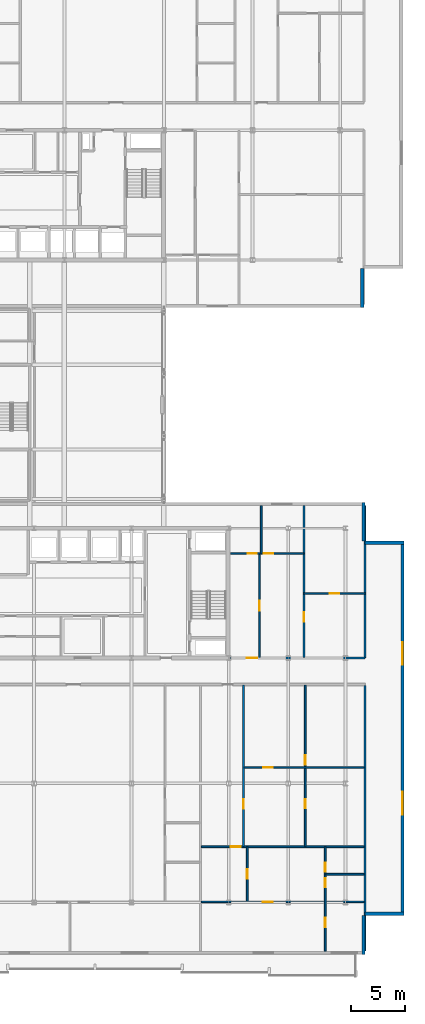
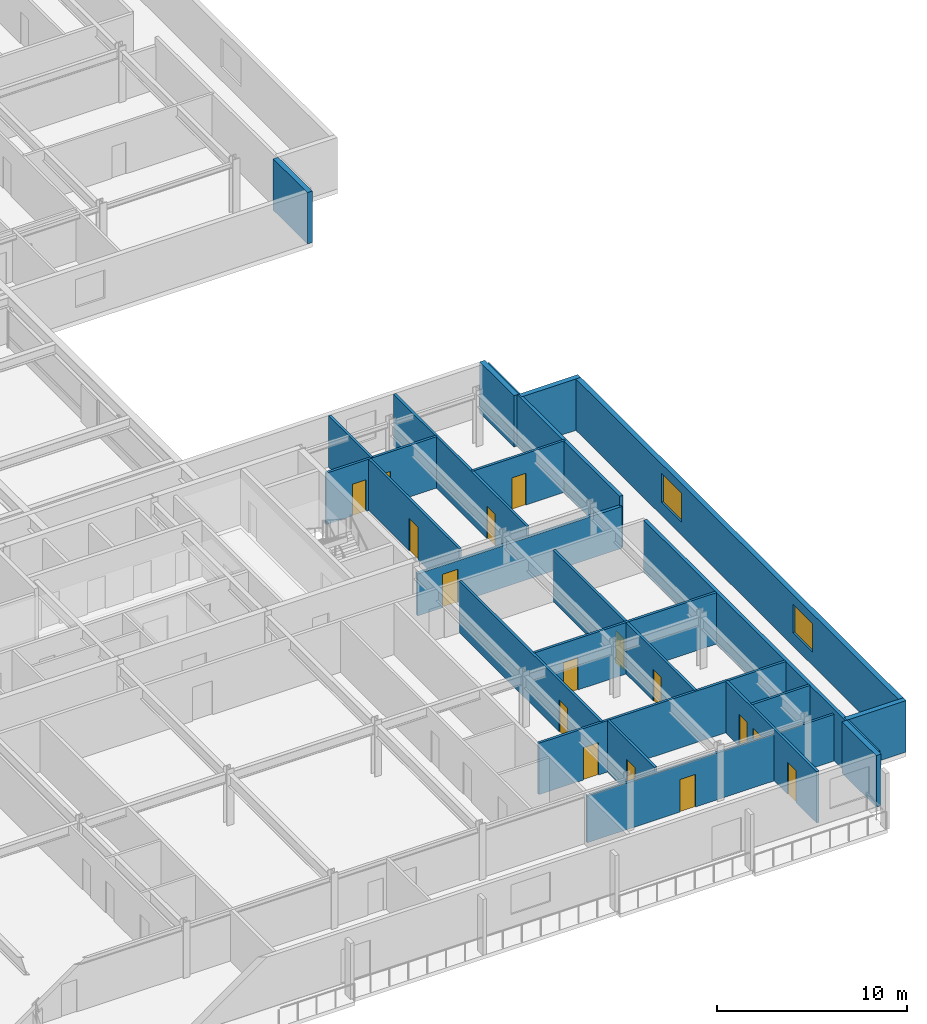
# One storey, part 22 of 35: 22 walls, 16 doors, 2 windows, 18 openings.
"""IFC4 building model written with IfcOpenShell, lengths in metres."""

from ifc_helpers import new_model, si_unit, direction, frame, frame_2d, origin, place, context, subcontext, project, spatial, rectangle, extrude, material, layer, layer_set, type_object, element, fill, save


model = new_model("IFC4")

# Units and contexts
model_context = context("Model", 3, precision=1e-05, world=origin(), true_north=direction((0.0, 1.0)))
body_context = subcontext(model_context, "Body", "Model", "MODEL_VIEW")
ifc_project = project(units=[si_unit("LENGTHUNIT", "METRE"), si_unit("AREAUNIT", "SQUARE_METRE"), si_unit("VOLUMEUNIT", "CUBIC_METRE"), si_unit("PLANEANGLEUNIT", "RADIAN"), si_unit("MASSUNIT", "GRAM", prefix="KILO")], contexts=[model_context])

# Site, building, storey
site_placement = place(None, origin())
site = spatial("IfcSite", under=ifc_project, at=site_placement, CompositionType="ELEMENT")
building_placement = place(site_placement, origin())
building = spatial("IfcBuilding", under=site, at=building_placement, Name="Korimba Cascade Residences", CompositionType="ELEMENT")
storey_placement = place(building_placement, frame((0.0, 0.0, 150.10009765625)))
storey = spatial("IfcBuildingStorey", under=building, at=storey_placement, Name="L43", CompositionType="ELEMENT", Elevation=150.10009765625)

# Walls
ifc_material_1 = material(Name="Precast concrete C40/50", Category="concrete")
ifc_layer_1 = layer(ifc_material_1, 0.300048828125)
ifc_layer_set_1 = layer_set([ifc_layer_1], Name="Precast concrete C40/50")
wall_type_1 = type_object("IfcWallType", Name="EW-STONE-300", PredefinedType="STANDARD", material=ifc_layer_set_1)
wall_1_placement = place(storey_placement, frame((130.449951171875, 50.800048828125, 0.0), z_axis=(0.0, 0.0, 1.0), x_axis=(0.0, 1.0, 0.0)))
element("IfcWall", 1, at=wall_1_placement, inside=storey, type_object=wall_type_1, Name="L43 T1 Perimeter Stone Wall E01", PredefinedType="STANDARD", context=body_context, shape_type="SweptSolid", body=[
    extrude(rectangle(XDim=3.599853515625, YDim=0.300048828125, at=frame_2d((1.7998046875, 0.0))), origin(), (0.0, 0.0, 1.0), 3.309814453125),
])
for number, where, z_axis, x_axis, name in (
    (2, (130.550048828125, -9.0, 0.0), (0.0, 0.0, 1.0), (0.0, 1.0, 0.0), "L43 T2 Perimeter Stone Wall E01"),
    (3, (130.699951171875, -5.25, 0.0), (0.0, 0.0, 1.0), (1.0, 0.0, 0.0), "L43 T2 Perimeter Stone Wall E02"),
):
    element("IfcWall", number, at=place(storey_placement, frame(where, z_axis=z_axis, x_axis=x_axis)), inside=storey, type_object=wall_type_1, Name=name, PredefinedType="STANDARD", context=body_context, shape_type="SweptSolid", body=[
        extrude(rectangle(XDim=3.60009765625, YDim=0.300048828125, at=frame_2d((1.800048828125, 0.0))), origin(), (0.0, 0.0, 1.0), 3.309814453125),
    ])

# Wall, openings, windows
wall_2_placement = place(storey_placement, frame((134.14990234375, -5.39990234375, 0.0), z_axis=(0.0, 0.0, 1.0), x_axis=(0.0, 1.0, 0.0)))
wall_2 = element("IfcWall", 4, at=wall_2_placement, inside=storey, type_object=wall_type_1, Name="L43 T2 Perimeter Stone Wall E03", PredefinedType="STANDARD", context=body_context, shape_type="SweptSolid", body=[
    extrude(rectangle(XDim=34.599853515625, YDim=0.300048828125, at=frame_2d((17.2998046875, 0.0))), origin(), (0.0, 0.0, 1.0), 3.309814453125),
])
opening_1_placement = place(wall_2_placement, frame((9.330078125, 0.0, 0.85009765625)))
opening_1 = element("IfcOpeningElement", 5, at=opening_1_placement, cuts=wall_2, Name="Opening W-03", PredefinedType="OPENING", context=body_context, shape_type="SweptSolid", body=[
    extrude(rectangle(XDim=2.10009765625, YDim=1.85009765625, at=frame_2d((1.050048828125, 0.925048828125))), frame((0.0, 0.16015625, 0.0), z_axis=(0.0, -1.0, 0.0), x_axis=(1.0, 0.0, 0.0)), (0.0, 0.0, 1.0), 0.320068359375),
])
opening_2_placement = place(wall_2_placement, frame((23.169921875, 0.0, 0.85009765625)))
opening_2 = element("IfcOpeningElement", 6, at=opening_2_placement, cuts=wall_2, Name="Opening W-03", PredefinedType="OPENING", context=body_context, shape_type="SweptSolid", body=[
    extrude(rectangle(XDim=2.10009765625, YDim=1.85009765625, at=frame_2d((1.050048828125, 0.925048828125))), frame((0.0, 0.16015625, 0.0), z_axis=(0.0, -1.0, 0.0), x_axis=(1.0, 0.0, 0.0)), (0.0, 0.0, 1.0), 0.320068359375),
])
ifc_material_2 = material(Name="Double-Glazed Aluminium Window", Category="aluminium")
window_type = type_object("IfcWindowType", Name="WIN-CRN-2100", PartitioningType="DOUBLE_PANEL_HORIZONTAL", PredefinedType="WINDOW", material=ifc_material_2)
window_1_placement = place(opening_1_placement, origin())
window_1 = element("IfcWindow", 7, at=window_1_placement, inside=storey, type_object=window_type, Name="L43 T2 End View Window 3.1", OverallHeight=1.85009765625, OverallWidth=2.10009765625, PartitioningType="DOUBLE_PANEL_HORIZONTAL", PredefinedType="WINDOW", context=body_context, shape_type="SweptSolid", body=[
    extrude(rectangle(XDim=2.10009765625, YDim=1.85009765625, at=frame_2d((1.050048828125, 0.925048828125))), frame((0.0, 0.030029296875, 0.0), z_axis=(0.0, -1.0, 0.0), x_axis=(1.0, 0.0, 0.0)), (0.0, 0.0, 1.0), 0.06005859375),
])
fill(opening_1, window_1)
window_2_placement = place(opening_2_placement, origin())
window_2 = element("IfcWindow", 8, at=window_2_placement, inside=storey, type_object=window_type, Name="L43 T2 End View Window 3.2", OverallHeight=1.85009765625, OverallWidth=2.10009765625, PartitioningType="DOUBLE_PANEL_HORIZONTAL", PredefinedType="WINDOW", context=body_context, shape_type="SweptSolid", body=[
    extrude(rectangle(XDim=2.10009765625, YDim=1.85009765625, at=frame_2d((1.050048828125, 0.925048828125))), frame((0.0, 0.030029296875, 0.0), z_axis=(0.0, -1.0, 0.0), x_axis=(1.0, 0.0, 0.0)), (0.0, 0.0, 1.0), 0.06005859375),
])
fill(opening_2, window_2)

# Walls
for number, where, z_axis, x_axis, name in (
    (9, (134.300048828125, 29.050048828125, 0.0), (0.0, 0.0, 1.0), (-1.0, 0.0, 0.0), "L43 T2 Perimeter Stone Wall E04"),
    (10, (130.550048828125, 29.199951171875, 0.0), (0.0, 0.0, 1.0), (0.0, 1.0, 0.0), "L43 T2 Perimeter Stone Wall E05"),
):
    element("IfcWall", number, at=place(storey_placement, frame(where, z_axis=z_axis, x_axis=x_axis)), inside=storey, type_object=wall_type_1, Name=name, PredefinedType="STANDARD", context=body_context, shape_type="SweptSolid", body=[
        extrude(rectangle(XDim=3.60009765625, YDim=0.300048828125, at=frame_2d((1.800048828125, 0.0))), origin(), (0.0, 0.0, 1.0), 3.309814453125),
    ])
ifc_layer_2 = layer(ifc_material_1, 0.199951171875)
ifc_layer_set_2 = layer_set([ifc_layer_2], Name="Precast concrete C40/50")
wall_type_2 = type_object("IfcWallType", Name="WAL-IT-200", PredefinedType="PARTITIONING", material=ifc_layer_set_2)
wall_3_placement = place(storey_placement, frame((130.699951171875, 18.39990234375, 0.0), z_axis=(0.0, 0.0, 1.0), x_axis=(0.0, 1.0, 0.0)))
element("IfcWall", 11, at=wall_3_placement, inside=storey, type_object=wall_type_2, Name="L43 Partition Wall WAL-L43-T2-FE-WR", PredefinedType="PARTITIONING", context=body_context, shape_type="SweptSolid", body=[
    extrude(rectangle(XDim=14.10009765625, YDim=0.199951171875, at=frame_2d((7.050048828125, 0.0))), origin(), (0.0, 0.0, 1.0), 3.309814453125),
])

# Wall, opening, door
wall_4_placement = place(storey_placement, frame((118.25, 18.39990234375, 0.0), z_axis=(0.0, 0.0, 1.0), x_axis=(1.0, 0.0, 0.0)))
wall_4 = element("IfcWall", 12, at=wall_4_placement, inside=storey, type_object=wall_type_2, Name="L43 Partition Wall WAL-L43-T2-FE-S", PredefinedType="PARTITIONING", context=body_context, shape_type="SweptSolid", body=[
    extrude(rectangle(XDim=12.449951171875, YDim=0.199951171875, at=frame_2d((6.22509765625, 0.0))), origin(), (0.0, 0.0, 1.0), 2.69775390625),
])
opening_3_placement = place(wall_4_placement, frame((1.510009765625, 0.0, 0.0)))
opening_3 = element("IfcOpeningElement", 13, at=opening_3_placement, cuts=wall_4, Name="Opening D-UN1", PredefinedType="OPENING", context=body_context, shape_type="SweptSolid", body=[
    extrude(rectangle(XDim=0.949951171875, YDim=2.14990234375, at=frame_2d((0.47509765625, 1.074951171875))), frame((0.0, 0.10986328125, 0.0), z_axis=(0.0, -1.0, 0.0), x_axis=(1.0, 0.0, 0.0)), (0.0, 0.0, 1.0), 0.219970703125),
])
ifc_material_3 = material(Name="Fire-Rated Hardwood Apartment Entrance Door", Category="wood")
door_type_1 = type_object("IfcDoorType", Name="DR-FD60-950", OperationType="NOTDEFINED", PredefinedType="DOOR", material=ifc_material_3)
door_1_placement = place(opening_3_placement, origin())
door_1 = element("IfcDoor", 14, at=door_1_placement, inside=storey, type_object=door_type_1, Name="L43-T2-FE Entrance Door", OperationType="SINGLE_SWING_LEFT", OverallHeight=2.14990234375, OverallWidth=0.949951171875, PredefinedType="DOOR", context=body_context, shape_type="SweptSolid", body=[
    extrude(rectangle(XDim=0.949951171875, YDim=2.14990234375, at=frame_2d((0.47509765625, 1.074951171875))), frame((0.0, 0.02490234375, 0.0), z_axis=(0.0, -1.0, 0.0), x_axis=(1.0, 0.0, 0.0)), (0.0, 0.0, 1.0), 0.050048828125),
])
fill(opening_3, door_1)

# Wall
wall_5_placement = place(storey_placement, frame((130.699951171875, -8.699951171875, 0.0), z_axis=(0.0, 0.0, 1.0), x_axis=(0.0, 1.0, 0.0)))
element("IfcWall", 15, at=wall_5_placement, inside=storey, type_object=wall_type_2, Name="L43 Partition Wall WAL-L43-T2-BNDWR", PredefinedType="PARTITIONING", context=body_context, shape_type="SweptSolid", body=[
    extrude(rectangle(XDim=24.570068359375, YDim=0.199951171875, at=frame_2d((12.28515625, 0.0))), origin(), (0.0, 0.0, 1.0), 3.309814453125),
])

# Wall, opening, door
ifc_material_4 = material(Name="Insulated Acoustic Stud Partition", Category="gypsum")
ifc_layer_3 = layer(ifc_material_4, 0.14990234375)
ifc_layer_set_3 = layer_set([ifc_layer_3], Name="Insulated Acoustic Stud Partition")
wall_type_3 = type_object("IfcWallType", Name="WAL-PART-150", PredefinedType="PARTITIONING", material=ifc_layer_set_3)
wall_6_placement = place(storey_placement, frame((125.050048828125, 24.35009765625, 0.0), z_axis=(0.0, 0.0, 1.0), x_axis=(1.0, 0.0, 0.0)))
wall_6 = element("IfcWall", 16, at=wall_6_placement, inside=storey, type_object=wall_type_3, Name="L43 Partition Wall WAL-L43-T2-FE-STH", PredefinedType="PARTITIONING", context=body_context, shape_type="SweptSolid", body=[
    extrude(rectangle(XDim=5.64990234375, YDim=0.14990234375, at=frame_2d((2.824951171875, 0.0))), origin(), (0.0, 0.0, 1.0), 3.309814453125),
])
opening_4_placement = place(wall_6_placement, frame((2.405029296875, 0.0, 0.0)))
opening_4 = element("IfcOpeningElement", 17, at=opening_4_placement, cuts=wall_6, Name="Opening D-BT1", PredefinedType="OPENING", context=body_context, shape_type="SweptSolid", body=[
    extrude(rectangle(XDim=0.840087890625, YDim=2.0400390625, at=frame_2d((0.419921875, 1.02001953125))), frame((0.0, 0.0849609375, 0.0), z_axis=(0.0, -1.0, 0.0), x_axis=(1.0, 0.0, 0.0)), (0.0, 0.0, 1.0), 0.169921875),
])
ifc_material_5 = material(Name="Moisture-Resistant Bathroom Timber Door", Category="wood")
door_type_2 = type_object("IfcDoorType", Name="DR-INT-850", OperationType="NOTDEFINED", PredefinedType="DOOR", material=ifc_material_5)
door_2_placement = place(opening_4_placement, origin())
door_2 = element("IfcDoor", 18, at=door_2_placement, inside=storey, type_object=door_type_2, Name="L43-T2-FE Dressing Store Door", OperationType="SINGLE_SWING_RIGHT", OverallHeight=2.0400390625, OverallWidth=0.840087890625, PredefinedType="DOOR", context=body_context, shape_type="SweptSolid", body=[
    extrude(rectangle(XDim=0.840087890625, YDim=2.0400390625, at=frame_2d((0.419921875, 1.02001953125))), frame((0.0, 0.02490234375, 0.0), z_axis=(0.0, -1.0, 0.0), x_axis=(1.0, 0.0, 0.0)), (0.0, 0.0, 1.0), 0.050048828125),
])
fill(opening_4, door_2)

wall_7_placement = place(storey_placement, frame((125.050048828125, 18.449951171875, 0.0), z_axis=(0.0, 0.0, 1.0), x_axis=(0.0, 1.0, 0.0)))
wall_7 = element("IfcWall", 19, at=wall_7_placement, inside=storey, type_object=wall_type_3, Name="L43 Partition Wall WAL-L43-T2-FE-STV", PredefinedType="PARTITIONING", context=body_context, shape_type="SweptSolid", body=[
    extrude(rectangle(XDim=14.050048828125, YDim=0.14990234375, at=frame_2d((7.02490234375, 0.0))), origin(), (0.0, 0.0, 1.0), 3.309814453125),
])
opening_5_placement = place(wall_7_placement, frame((3.320068359375, 0.0, 0.0)))
opening_5 = element("IfcOpeningElement", 20, at=opening_5_placement, cuts=wall_7, Name="Opening D-IN2", PredefinedType="OPENING", context=body_context, shape_type="SweptSolid", body=[
    extrude(rectangle(XDim=0.8798828125, YDim=2.06005859375, at=frame_2d((0.43994140625, 1.030029296875))), frame((0.0, 0.0849609375, 0.0), z_axis=(0.0, -1.0, 0.0), x_axis=(1.0, 0.0, 0.0)), (0.0, 0.0, 1.0), 0.169921875),
])
ifc_material_6 = material(Name="Acoustic Timber Bedroom Door", Category="wood")
door_type_3 = type_object("IfcDoorType", Name="DR-INT-880", OperationType="NOTDEFINED", PredefinedType="DOOR", material=ifc_material_6)
door_3_placement = place(opening_5_placement, origin())
door_3 = element("IfcDoor", 21, at=door_3_placement, inside=storey, type_object=door_type_3, Name="L43-T2-FE Study Door", OperationType="SINGLE_SWING_LEFT", OverallHeight=2.06005859375, OverallWidth=0.8798828125, PredefinedType="DOOR", context=body_context, shape_type="SweptSolid", body=[
    extrude(rectangle(XDim=0.8798828125, YDim=2.06005859375, at=frame_2d((0.43994140625, 1.030029296875))), frame((0.0, 0.02490234375, 0.0), z_axis=(0.0, -1.0, 0.0), x_axis=(1.0, 0.0, 0.0)), (0.0, 0.0, 1.0), 0.050048828125),
])
fill(opening_5, door_3)

wall_8_placement = place(storey_placement, frame((120.929931640625, 18.449951171875, 0.0), z_axis=(0.0, 0.0, 1.0), x_axis=(0.0, 1.0, 0.0)))
wall_8 = element("IfcWall", 22, at=wall_8_placement, inside=storey, type_object=wall_type_3, Name="L43 Partition Wall WAL-L43-T2-FE-VS", PredefinedType="PARTITIONING", context=body_context, shape_type="SweptSolid", body=[
    extrude(rectangle(XDim=9.60009765625, YDim=0.14990234375, at=frame_2d((4.800048828125, 0.0))), origin(), (0.0, 0.0, 1.0), 3.309814453125),
])
opening_6_placement = place(wall_8_placement, frame((4.340087890625, 0.0, 0.0)))
opening_6 = element("IfcOpeningElement", 23, at=opening_6_placement, cuts=wall_8, Name="Opening D-IN1", PredefinedType="OPENING", context=body_context, shape_type="SweptSolid", body=[
    extrude(rectangle(XDim=0.919921875, YDim=2.080078125, at=frame_2d((0.4599609375, 1.0400390625))), frame((0.0, 0.0849609375, 0.0), z_axis=(0.0, -1.0, 0.0), x_axis=(1.0, 0.0, 0.0)), (0.0, 0.0, 1.0), 0.169921875),
])
ifc_material_7 = material(Name="Acoustic Timber Living Door", Category="wood")
door_type_4 = type_object("IfcDoorType", Name="DR-INT-920", OperationType="NOTDEFINED", PredefinedType="DOOR", material=ifc_material_7)
door_4_placement = place(opening_6_placement, origin())
door_4 = element("IfcDoor", 24, at=door_4_placement, inside=storey, type_object=door_type_4, Name="L43-T2-FE Living Door", OperationType="SINGLE_SWING_RIGHT", OverallHeight=2.080078125, OverallWidth=0.919921875, PredefinedType="DOOR", context=body_context, shape_type="SweptSolid", body=[
    extrude(rectangle(XDim=0.919921875, YDim=2.080078125, at=frame_2d((0.4599609375, 1.0400390625))), frame((0.0, 0.02490234375, 0.0), z_axis=(0.0, -1.0, 0.0), x_axis=(1.0, 0.0, 0.0)), (0.0, 0.0, 1.0), 0.050048828125),
])
fill(opening_6, door_4)

# Wall
wall_9_placement = place(storey_placement, frame((121.10009765625, 28.050048828125, 0.0), z_axis=(0.0, 0.0, 1.0), x_axis=(0.0, 1.0, 0.0)))
element("IfcWall", 25, at=wall_9_placement, inside=storey, type_object=wall_type_3, Name="L43 Partition Wall WAL-L43-T2-FE-VN", PredefinedType="PARTITIONING", context=body_context, shape_type="SweptSolid", body=[
    extrude(rectangle(XDim=4.449951171875, YDim=0.14990234375, at=frame_2d((2.22509765625, 0.0))), origin(), (0.0, 0.0, 1.0), 3.309814453125),
])

# Wall, openings, doors
wall_10_placement = place(storey_placement, frame((118.27001953125, 28.050048828125, 0.0), z_axis=(0.0, 0.0, 1.0), x_axis=(1.0, 0.0, 0.0)))
wall_10 = element("IfcWall", 26, at=wall_10_placement, inside=storey, type_object=wall_type_3, Name="L43 Partition Wall WAL-L43-T2-FE-H", PredefinedType="PARTITIONING", context=body_context, shape_type="SweptSolid", body=[
    extrude(rectangle(XDim=6.760009765625, YDim=0.14990234375, at=frame_2d((3.3798828125, 0.0))), origin(), (0.0, 0.0, 1.0), 3.309814453125),
])
opening_7_placement = place(wall_10_placement, frame((1.58740234375, 0.0, 0.0)))
opening_7 = element("IfcOpeningElement", 27, at=opening_7_placement, cuts=wall_10, Name="Opening D-BT1", PredefinedType="OPENING", context=body_context, shape_type="SweptSolid", body=[
    extrude(rectangle(XDim=0.840087890625, YDim=2.0400390625, at=frame_2d((0.419921875, 1.02001953125))), frame((0.0, 0.0849609375, 0.0), z_axis=(0.0, -1.0, 0.0), x_axis=(1.0, 0.0, 0.0)), (0.0, 0.0, 1.0), 0.169921875),
])
opening_8_placement = place(wall_10_placement, frame((3.0419921875, 0.0, 0.0)))
opening_8 = element("IfcOpeningElement", 28, at=opening_8_placement, cuts=wall_10, Name="Opening D-IN2", PredefinedType="OPENING", context=body_context, shape_type="SweptSolid", body=[
    extrude(rectangle(XDim=0.8798828125, YDim=2.06005859375, at=frame_2d((0.43994140625, 1.030029296875))), frame((0.0, 0.0849609375, 0.0), z_axis=(0.0, -1.0, 0.0), x_axis=(1.0, 0.0, 0.0)), (0.0, 0.0, 1.0), 0.169921875),
])
door_5_placement = place(opening_7_placement, origin())
door_5 = element("IfcDoor", 29, at=door_5_placement, inside=storey, type_object=door_type_2, Name="L43-T2-FE Bathroom Door", OperationType="SINGLE_SWING_LEFT", OverallHeight=2.0400390625, OverallWidth=0.840087890625, PredefinedType="DOOR", context=body_context, shape_type="SweptSolid", body=[
    extrude(rectangle(XDim=0.840087890625, YDim=2.0400390625, at=frame_2d((0.419921875, 1.02001953125))), frame((0.0, 0.02490234375, 0.0), z_axis=(0.0, -1.0, 0.0), x_axis=(1.0, 0.0, 0.0)), (0.0, 0.0, 1.0), 0.050048828125),
])
fill(opening_7, door_5)
door_6_placement = place(opening_8_placement, origin())
door_6 = element("IfcDoor", 30, at=door_6_placement, inside=storey, type_object=door_type_3, Name="L43-T2-FE Bedroom Door", OperationType="SINGLE_SWING_RIGHT", OverallHeight=2.06005859375, OverallWidth=0.8798828125, PredefinedType="DOOR", context=body_context, shape_type="SweptSolid", body=[
    extrude(rectangle(XDim=0.8798828125, YDim=2.06005859375, at=frame_2d((0.43994140625, 1.030029296875))), frame((0.0, 0.02490234375, 0.0), z_axis=(0.0, -1.0, 0.0), x_axis=(1.0, 0.0, 0.0)), (0.0, 0.0, 1.0), 0.050048828125),
])
fill(opening_8, door_6)

wall_11_placement = place(storey_placement, frame((125.168212890625, 0.989990234375, 0.0), z_axis=(0.0, 0.0, 1.0), x_axis=(0.0, 1.0, 0.0)))
wall_11 = element("IfcWall", 31, at=wall_11_placement, inside=storey, type_object=wall_type_3, Name="L43 Partition Wall WAL-L43-T2-U03-FMV", PredefinedType="PARTITIONING", context=body_context, shape_type="SweptSolid", body=[
    extrude(rectangle(XDim=14.89990234375, YDim=0.14990234375, at=frame_2d((7.449951171875, 0.0))), origin(), (0.0, 0.0, 1.0), 3.309814453125),
])
opening_9_placement = place(wall_11_placement, frame((3.498291015625, 0.0, 0.0)))
opening_9 = element("IfcOpeningElement", 32, at=opening_9_placement, cuts=wall_11, Name="Opening D-BT1", PredefinedType="OPENING", context=body_context, shape_type="SweptSolid", body=[
    extrude(rectangle(XDim=0.840087890625, YDim=2.0400390625, at=frame_2d((0.419921875, 1.02001953125))), frame((0.0, 0.0849609375, 0.0), z_axis=(0.0, -1.0, 0.0), x_axis=(1.0, 0.0, 0.0)), (0.0, 0.0, 1.0), 0.169921875),
])
opening_10_placement = place(wall_11_placement, frame((7.52001953125, 0.0, 0.0)))
opening_10 = element("IfcOpeningElement", 33, at=opening_10_placement, cuts=wall_11, Name="Opening D-IN2", PredefinedType="OPENING", context=body_context, shape_type="SweptSolid", body=[
    extrude(rectangle(XDim=0.8798828125, YDim=2.06005859375, at=frame_2d((0.43994140625, 1.030029296875))), frame((0.0, 0.0849609375, 0.0), z_axis=(0.0, -1.0, 0.0), x_axis=(1.0, 0.0, 0.0)), (0.0, 0.0, 1.0), 0.169921875),
])
door_7_placement = place(opening_9_placement, origin())
door_7 = element("IfcDoor", 34, at=door_7_placement, inside=storey, type_object=door_type_2, Name="L43-T2-U03 Wardrobe Door", OperationType="SINGLE_SWING_RIGHT", OverallHeight=2.0400390625, OverallWidth=0.840087890625, PredefinedType="DOOR", context=body_context, shape_type="SweptSolid", body=[
    extrude(rectangle(XDim=0.840087890625, YDim=2.0400390625, at=frame_2d((0.419921875, 1.02001953125))), frame((0.0, 0.02490234375, 0.0), z_axis=(0.0, -1.0, 0.0), x_axis=(1.0, 0.0, 0.0)), (0.0, 0.0, 1.0), 0.050048828125),
])
fill(opening_9, door_7)
door_8_placement = place(opening_10_placement, origin())
door_8 = element("IfcDoor", 35, at=door_8_placement, inside=storey, type_object=door_type_3, Name="L43-T2-U03 Music Lounge Door", OperationType="SINGLE_SWING_LEFT", OverallHeight=2.06005859375, OverallWidth=0.8798828125, PredefinedType="DOOR", context=body_context, shape_type="SweptSolid", body=[
    extrude(rectangle(XDim=0.8798828125, YDim=2.06005859375, at=frame_2d((0.43994140625, 1.030029296875))), frame((0.0, 0.02490234375, 0.0), z_axis=(0.0, -1.0, 0.0), x_axis=(1.0, 0.0, 0.0)), (0.0, 0.0, 1.0), 0.050048828125),
])
fill(opening_10, door_8)

# Wall, opening, door
wall_12_placement = place(storey_placement, frame((119.516357421875, 8.260009765625, 0.0), z_axis=(0.0, 0.0, 1.0), x_axis=(1.0, 0.0, 0.0)))
wall_12 = element("IfcWall", 36, at=wall_12_placement, inside=storey, type_object=wall_type_3, Name="L43 Partition Wall WAL-L43-T2-U03-FMH", PredefinedType="PARTITIONING", context=body_context, shape_type="SweptSolid", body=[
    extrude(rectangle(XDim=11.103759765625, YDim=0.14990234375, at=frame_2d((5.5517578125, 0.0))), origin(), (0.0, 0.0, 1.0), 3.309814453125),
])
opening_11_placement = place(wall_12_placement, frame((1.778564453125, 0.0, 0.0)))
opening_11 = element("IfcOpeningElement", 37, at=opening_11_placement, cuts=wall_12, Name="Opening D-IN2", PredefinedType="OPENING", context=body_context, shape_type="SweptSolid", body=[
    extrude(rectangle(XDim=0.8798828125, YDim=2.06005859375, at=frame_2d((0.43994140625, 1.030029296875))), frame((0.0, 0.0849609375, 0.0), z_axis=(0.0, -1.0, 0.0), x_axis=(1.0, 0.0, 0.0)), (0.0, 0.0, 1.0), 0.169921875),
])
door_9_placement = place(opening_11_placement, origin())
door_9 = element("IfcDoor", 38, at=door_9_placement, inside=storey, type_object=door_type_3, Name="L43-T2-U03 Library Salon Door", OperationType="SINGLE_SWING_RIGHT", OverallHeight=2.06005859375, OverallWidth=0.8798828125, PredefinedType="DOOR", context=body_context, shape_type="SweptSolid", body=[
    extrude(rectangle(XDim=0.8798828125, YDim=2.06005859375, at=frame_2d((0.43994140625, 1.030029296875))), frame((0.0, 0.02490234375, 0.0), z_axis=(0.0, -1.0, 0.0), x_axis=(1.0, 0.0, 0.0)), (0.0, 0.0, 1.0), 0.050048828125),
])
fill(opening_11, door_9)

wall_13_placement = place(storey_placement, frame((119.456298828125, 0.989990234375, 0.0), z_axis=(0.0, 0.0, 1.0), x_axis=(0.0, 1.0, 0.0)))
wall_13 = element("IfcWall", 39, at=wall_13_placement, inside=storey, type_object=wall_type_3, Name="L43 Partition Wall WAL-L43-T2-U03-FV", PredefinedType="PARTITIONING", context=body_context, shape_type="SweptSolid", body=[
    extrude(rectangle(XDim=14.89990234375, YDim=0.14990234375, at=frame_2d((7.449951171875, 0.0))), origin(), (0.0, 0.0, 1.0), 3.309814453125),
])
opening_12_placement = place(wall_13_placement, frame((3.4765625, 0.0, 0.0)))
opening_12 = element("IfcOpeningElement", 40, at=opening_12_placement, cuts=wall_13, Name="Opening D-IN2", PredefinedType="OPENING", context=body_context, shape_type="SweptSolid", body=[
    extrude(rectangle(XDim=0.8798828125, YDim=2.06005859375, at=frame_2d((0.43994140625, 1.030029296875))), frame((0.0, 0.0849609375, 0.0), z_axis=(0.0, -1.0, 0.0), x_axis=(1.0, 0.0, 0.0)), (0.0, 0.0, 1.0), 0.169921875),
])
door_10_placement = place(opening_12_placement, origin())
door_10 = element("IfcDoor", 41, at=door_10_placement, inside=storey, type_object=door_type_3, Name="L43-T2-U03 Media Lounge Door", OperationType="SINGLE_SWING_LEFT", OverallHeight=2.06005859375, OverallWidth=0.8798828125, PredefinedType="DOOR", context=body_context, shape_type="SweptSolid", body=[
    extrude(rectangle(XDim=0.8798828125, YDim=2.06005859375, at=frame_2d((0.43994140625, 1.030029296875))), frame((0.0, 0.02490234375, 0.0), z_axis=(0.0, -1.0, 0.0), x_axis=(1.0, 0.0, 0.0)), (0.0, 0.0, 1.0), 0.050048828125),
])
fill(opening_12, door_10)

wall_14_placement = place(storey_placement, frame((119.806396484375, -4.090087890625, 0.0), z_axis=(0.0, 0.0, 1.0), x_axis=(0.0, 1.0, 0.0)))
wall_14 = element("IfcWall", 42, at=wall_14_placement, inside=storey, type_object=wall_type_3, Name="L43 Partition Wall WAL-L43-T2-U03-VDIN", PredefinedType="PARTITIONING", context=body_context, shape_type="SweptSolid", body=[
    extrude(rectangle(XDim=5.0, YDim=0.14990234375, at=frame_2d((2.5, 0.0))), origin(), (0.0, 0.0, 1.0), 3.309814453125),
])
opening_13_placement = place(wall_14_placement, frame((2.06005859375, 0.0, 0.0)))
opening_13 = element("IfcOpeningElement", 43, at=opening_13_placement, cuts=wall_14, Name="Opening D-IN2", PredefinedType="OPENING", context=body_context, shape_type="SweptSolid", body=[
    extrude(rectangle(XDim=0.8798828125, YDim=2.06005859375, at=frame_2d((0.43994140625, 1.030029296875))), frame((0.0, 0.0849609375, 0.0), z_axis=(0.0, -1.0, 0.0), x_axis=(1.0, 0.0, 0.0)), (0.0, 0.0, 1.0), 0.169921875),
])
door_11_placement = place(opening_13_placement, origin())
door_11 = element("IfcDoor", 44, at=door_11_placement, inside=storey, type_object=door_type_3, Name="L43-T2-U03 Dining Room Door", OperationType="SINGLE_SWING_RIGHT", OverallHeight=2.06005859375, OverallWidth=0.8798828125, PredefinedType="DOOR", context=body_context, shape_type="SweptSolid", body=[
    extrude(rectangle(XDim=0.8798828125, YDim=2.06005859375, at=frame_2d((0.43994140625, 1.030029296875))), frame((0.0, 0.02490234375, 0.0), z_axis=(0.0, -1.0, 0.0), x_axis=(1.0, 0.0, 0.0)), (0.0, 0.0, 1.0), 0.050048828125),
])
fill(opening_13, door_11)

# Wall
wall_15_placement = place(storey_placement, frame((127.080078125, -1.590087890625, 0.0), z_axis=(0.0, 0.0, 1.0), x_axis=(1.0, 0.0, 0.0)))
element("IfcWall", 45, at=wall_15_placement, inside=storey, type_object=wall_type_3, Name="L43 Partition Wall WAL-L43-T2-U03-BLDIV", PredefinedType="PARTITIONING", context=body_context, shape_type="SweptSolid", body=[
    extrude(rectangle(XDim=3.5400390625, YDim=0.14990234375, at=frame_2d((1.77001953125, 0.0))), origin(), (0.0, 0.0, 1.0), 3.309814453125),
])

# Wall, openings, doors
wall_16_placement = place(storey_placement, frame((127.02001953125, -8.699951171875, 0.0), z_axis=(0.0, 0.0, 1.0), x_axis=(0.0, 1.0, 0.0)))
wall_16 = element("IfcWall", 46, at=wall_16_placement, inside=storey, type_object=wall_type_3, Name="L43 Partition Wall WAL-L43-T2-U03-V1", PredefinedType="PARTITIONING", context=body_context, shape_type="SweptSolid", body=[
    extrude(rectangle(XDim=9.60986328125, YDim=0.14990234375, at=frame_2d((4.804931640625, 0.0))), origin(), (0.0, 0.0, 1.0), 3.309814453125),
])
opening_14_placement = place(wall_16_placement, frame((5.8916015625, 0.0, 0.0)))
opening_14 = element("IfcOpeningElement", 47, at=opening_14_placement, cuts=wall_16, Name="Opening D-BT1", PredefinedType="OPENING", context=body_context, shape_type="SweptSolid", body=[
    extrude(rectangle(XDim=0.840087890625, YDim=2.0400390625, at=frame_2d((0.419921875, 1.02001953125))), frame((0.0, 0.0849609375, 0.0), z_axis=(0.0, -1.0, 0.0), x_axis=(1.0, 0.0, 0.0)), (0.0, 0.0, 1.0), 0.169921875),
])
opening_15_placement = place(wall_16_placement, frame((7.339599609375, 0.0, 0.0)))
opening_15 = element("IfcOpeningElement", 48, at=opening_15_placement, cuts=wall_16, Name="Opening D-BT1", PredefinedType="OPENING", context=body_context, shape_type="SweptSolid", body=[
    extrude(rectangle(XDim=0.840087890625, YDim=2.0400390625, at=frame_2d((0.419921875, 1.02001953125))), frame((0.0, 0.0849609375, 0.0), z_axis=(0.0, -1.0, 0.0), x_axis=(1.0, 0.0, 0.0)), (0.0, 0.0, 1.0), 0.169921875),
])
opening_16_placement = place(wall_16_placement, frame((2.193603515625, 0.0, 0.0)))
opening_16 = element("IfcOpeningElement", 49, at=opening_16_placement, cuts=wall_16, Name="Opening D-IN2", PredefinedType="OPENING", context=body_context, shape_type="SweptSolid", body=[
    extrude(rectangle(XDim=0.8798828125, YDim=2.06005859375, at=frame_2d((0.43994140625, 1.030029296875))), frame((0.0, 0.0849609375, 0.0), z_axis=(0.0, -1.0, 0.0), x_axis=(1.0, 0.0, 0.0)), (0.0, 0.0, 1.0), 0.169921875),
])
door_12_placement = place(opening_14_placement, origin())
door_12 = element("IfcDoor", 50, at=door_12_placement, inside=storey, type_object=door_type_2, Name="L43-T2-U03 Bathroom Door", OperationType="SINGLE_SWING_LEFT", OverallHeight=2.0400390625, OverallWidth=0.840087890625, PredefinedType="DOOR", context=body_context, shape_type="SweptSolid", body=[
    extrude(rectangle(XDim=0.840087890625, YDim=2.0400390625, at=frame_2d((0.419921875, 1.02001953125))), frame((0.0, 0.02490234375, 0.0), z_axis=(0.0, -1.0, 0.0), x_axis=(1.0, 0.0, 0.0)), (0.0, 0.0, 1.0), 0.050048828125),
])
fill(opening_14, door_12)
door_13_placement = place(opening_15_placement, origin())
door_13 = element("IfcDoor", 51, at=door_13_placement, inside=storey, type_object=door_type_2, Name="L43-T2-U03 Laundry Door", OperationType="SINGLE_SWING_RIGHT", OverallHeight=2.0400390625, OverallWidth=0.840087890625, PredefinedType="DOOR", context=body_context, shape_type="SweptSolid", body=[
    extrude(rectangle(XDim=0.840087890625, YDim=2.0400390625, at=frame_2d((0.419921875, 1.02001953125))), frame((0.0, 0.02490234375, 0.0), z_axis=(0.0, -1.0, 0.0), x_axis=(1.0, 0.0, 0.0)), (0.0, 0.0, 1.0), 0.050048828125),
])
fill(opening_15, door_13)
door_14_placement = place(opening_16_placement, origin())
door_14 = element("IfcDoor", 52, at=door_14_placement, inside=storey, type_object=door_type_3, Name="L43-T2-U03 Bedroom 1 Door", OperationType="SINGLE_SWING_LEFT", OverallHeight=2.06005859375, OverallWidth=0.8798828125, PredefinedType="DOOR", context=body_context, shape_type="SweptSolid", body=[
    extrude(rectangle(XDim=0.8798828125, YDim=2.06005859375, at=frame_2d((0.43994140625, 1.030029296875))), frame((0.0, 0.02490234375, 0.0), z_axis=(0.0, -1.0, 0.0), x_axis=(1.0, 0.0, 0.0)), (0.0, 0.0, 1.0), 0.050048828125),
])
fill(opening_16, door_14)

# Wall, opening, door
wall_17_placement = place(storey_placement, frame((115.56640625, 0.949951171875, 0.0), z_axis=(0.0, 0.0, 1.0), x_axis=(1.0, 0.0, 0.0)))
wall_17 = element("IfcWall", 53, at=wall_17_placement, inside=storey, type_object=wall_type_3, Name="L43 Partition Wall WAL-L43-T2-U03-MW", PredefinedType="PARTITIONING", context=body_context, shape_type="SweptSolid", body=[
    extrude(rectangle(XDim=15.0537109375, YDim=0.14990234375, at=frame_2d((7.52685546875, 0.0))), origin(), (0.0, 0.0, 1.0), 3.309814453125),
])
opening_17_placement = place(wall_17_placement, frame((2.719970703125, 0.0, 0.0)))
opening_17 = element("IfcOpeningElement", 54, at=opening_17_placement, cuts=wall_17, Name="Opening D-IN1", PredefinedType="OPENING", context=body_context, shape_type="SweptSolid", body=[
    extrude(rectangle(XDim=0.919921875, YDim=2.080078125, at=frame_2d((0.4599609375, 1.0400390625))), frame((0.0, 0.0849609375, 0.0), z_axis=(0.0, -1.0, 0.0), x_axis=(1.0, 0.0, 0.0)), (0.0, 0.0, 1.0), 0.169921875),
])
door_15_placement = place(opening_17_placement, origin())
door_15 = element("IfcDoor", 55, at=door_15_placement, inside=storey, type_object=door_type_4, Name="L43-T2-U03 Kitchen Archway Door", OperationType="SINGLE_SWING_RIGHT", OverallHeight=2.080078125, OverallWidth=0.919921875, PredefinedType="DOOR", context=body_context, shape_type="SweptSolid", body=[
    extrude(rectangle(XDim=0.919921875, YDim=2.080078125, at=frame_2d((0.4599609375, 1.0400390625))), frame((0.0, 0.02490234375, 0.0), z_axis=(0.0, -1.0, 0.0), x_axis=(1.0, 0.0, 0.0)), (0.0, 0.0, 1.0), 0.050048828125),
])
fill(opening_17, door_15)

wall_18_placement = place(storey_placement, frame((115.56640625, -4.14990234375, 0.0), z_axis=(0.0, 0.0, 1.0), x_axis=(1.0, 0.0, 0.0)))
wall_18 = element("IfcWall", 56, at=wall_18_placement, inside=storey, type_object=wall_type_3, Name="L43 Partition Wall WAL-L43-T2-U03-HZ", PredefinedType="PARTITIONING", context=body_context, shape_type="SweptSolid", body=[
    extrude(rectangle(XDim=15.0537109375, YDim=0.14990234375, at=frame_2d((7.52685546875, 0.0))), origin(), (0.0, 0.0, 1.0), 3.00341796875),
])
opening_18_placement = place(wall_18_placement, frame((5.6572265625, 0.0, 0.0)))
opening_18 = element("IfcOpeningElement", 57, at=opening_18_placement, cuts=wall_18, Name="Opening D-IN0", PredefinedType="OPENING", context=body_context, shape_type="SweptSolid", body=[
    extrude(rectangle(XDim=0.93994140625, YDim=2.10009765625, at=frame_2d((0.469970703125, 1.050048828125))), frame((0.0, 0.0849609375, 0.0), z_axis=(0.0, -1.0, 0.0), x_axis=(1.0, 0.0, 0.0)), (0.0, 0.0, 1.0), 0.169921875),
])
ifc_material_8 = material(Name="Acoustic Timber Living Archway Door", Category="wood")
door_type_5 = type_object("IfcDoorType", Name="DR-INT-950", OperationType="NOTDEFINED", PredefinedType="DOOR", material=ifc_material_8)
door_16_placement = place(opening_18_placement, origin())
door_16 = element("IfcDoor", 58, at=door_16_placement, inside=storey, type_object=door_type_5, Name="L43-T2-U03 Living Archway Door", OperationType="SINGLE_SWING_LEFT", OverallHeight=2.10009765625, OverallWidth=0.93994140625, PredefinedType="DOOR", context=body_context, shape_type="SweptSolid", body=[
    extrude(rectangle(XDim=0.93994140625, YDim=2.10009765625, at=frame_2d((0.469970703125, 1.050048828125))), frame((0.0, 0.02490234375, 0.0), z_axis=(0.0, -1.0, 0.0), x_axis=(1.0, 0.0, 0.0)), (0.0, 0.0, 1.0), 0.050048828125),
])
fill(opening_18, door_16)

save(model, "model.ifc")
